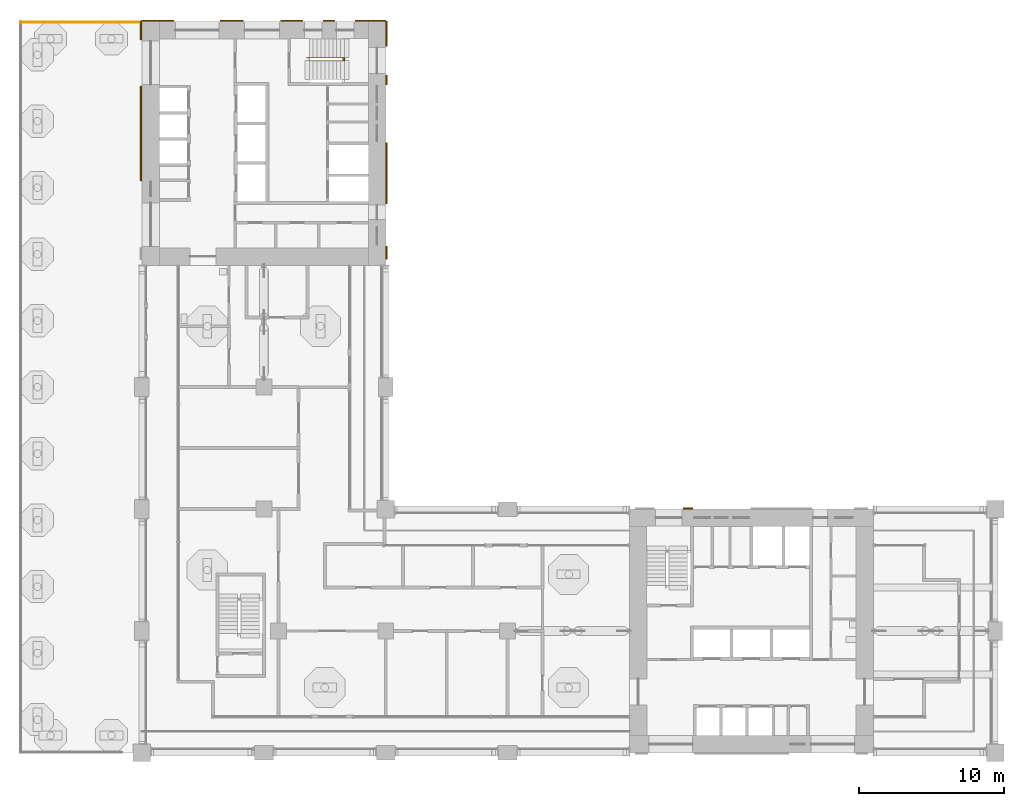
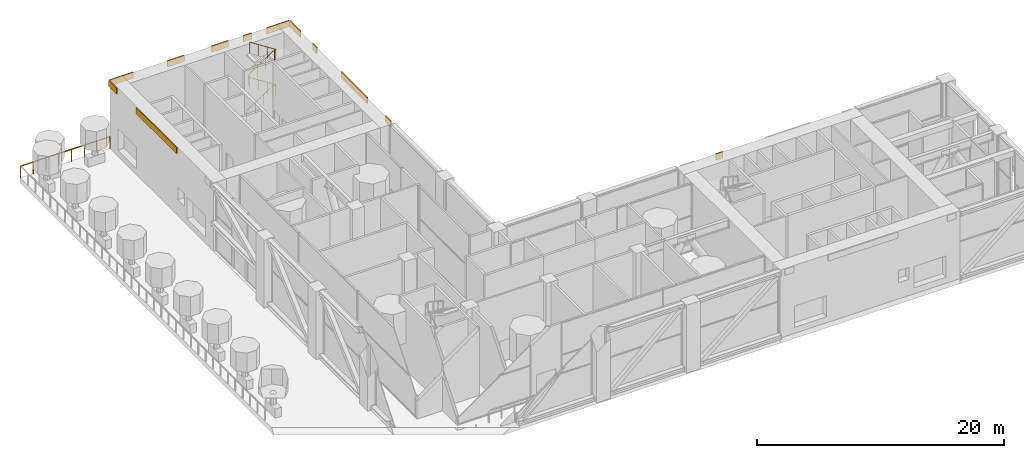
# One storey, part 19 of 22: 12 shading devices, 2 railings.
"""IFC4 building model written with IfcOpenShell, lengths in metres."""

from ifc_helpers import new_model, si_unit, direction, frame, origin, origin_2d, place, context, subcontext, project, spatial, rectangle, circle, extrude, material, layer, layer_set, type_object, element, save


model = new_model("IFC4")

# Units and contexts
model_context = context("Model", 3, precision=1e-05, world=origin(), true_north=direction((0.0, 1.0)))
body_context = subcontext(model_context, "Body", "Model", "MODEL_VIEW")
ifc_project = project(units=[si_unit("LENGTHUNIT", "METRE"), si_unit("AREAUNIT", "SQUARE_METRE"), si_unit("VOLUMEUNIT", "CUBIC_METRE"), si_unit("PLANEANGLEUNIT", "RADIAN"), si_unit("MASSUNIT", "GRAM", prefix="KILO")], contexts=[model_context])

# Site, building, storey
site_placement = place(None, origin())
site = spatial("IfcSite", under=ifc_project, at=site_placement, CompositionType="ELEMENT")
building_placement = place(site_placement, origin())
building = spatial("IfcBuilding", under=site, at=building_placement, Name="Vermilion Gate Residences", CompositionType="ELEMENT")
storey_placement = place(building_placement, frame((0.0, 0.0, 140.699951171875)))
storey = spatial("IfcBuildingStorey", under=building, at=storey_placement, Name="L36", CompositionType="ELEMENT", Elevation=140.699951171875)

# Railings
ifc_material_1 = material(Name="Stainless steel and toughened glass", Category="steel")
railing_type_1 = type_object("IfcRailingType", Name="LOGGIA GUARD STEEL AND GLASS 1200", PredefinedType="GUARDRAIL", material=ifc_material_1)
railing_1_placement = place(storey_placement, frame((8.3779296875, 58.75, 0.0)))
element("IfcRailing", 1, at=railing_1_placement, inside=storey, type_object=railing_type_1, Name="Loggia guard", PredefinedType="GUARDRAIL", context=body_context, shape_type="SweptSolid", body=[
    extrude(circle(Radius=0.030029296875, at=origin_2d()), frame((0.0, 0.0, 1.169921875), z_axis=(-1.0, 0.0, 0.0), x_axis=(0.0, -1.0, 0.0)), (0.0, 0.0, 1.0), 8.35595703125),
    extrude(circle(Radius=0.02490234375, at=origin_2d()), origin(), (0.0, 0.0, 1.0), 1.139892578125),
    extrude(circle(Radius=0.02490234375, at=origin_2d()), frame((-1.193603515625, 0.0, 0.0)), (0.0, 0.0, 1.0), 1.139892578125),
    extrude(circle(Radius=0.02490234375, at=origin_2d()), frame((-2.387451171875, 0.0, 0.0)), (0.0, 0.0, 1.0), 1.139892578125),
    extrude(circle(Radius=0.02490234375, at=origin_2d()), frame((-3.5810546875, 0.0, 0.0)), (0.0, 0.0, 1.0), 1.139892578125),
    extrude(circle(Radius=0.02490234375, at=origin_2d()), frame((-4.77490234375, 0.0, 0.0)), (0.0, 0.0, 1.0), 1.139892578125),
    extrude(circle(Radius=0.02490234375, at=origin_2d()), frame((-5.968505859375, 0.0, 0.0)), (0.0, 0.0, 1.0), 1.139892578125),
    extrude(circle(Radius=0.02490234375, at=origin_2d()), frame((-7.162353515625, 0.0, 0.0)), (0.0, 0.0, 1.0), 1.139892578125),
    extrude(circle(Radius=0.02490234375, at=origin_2d()), frame((-8.35595703125, 0.0, 0.0)), (0.0, 0.0, 1.0), 1.139892578125),
])
ifc_material_2 = material(Name="Steel S355", Category="steel")
railing_type_2 = type_object("IfcRailingType", Name="STAIR GUARD 1100 STEEL", PredefinedType="GUARDRAIL", material=ifc_material_2)
railing_2_placement = place(storey_placement, frame((19.75, 56.300048828125, 0.175048828125)))
element("IfcRailing", 2, at=railing_2_placement, inside=storey, type_object=railing_type_2, Name="Stair well guard STB1-36", PredefinedType="GUARDRAIL", context=body_context, shape_type="SweptSolid", body=[
    extrude(circle(Radius=0.02392578125, at=origin_2d()), frame((0.0, 0.0, 1.076171875), z_axis=(0.839153699163, 0.0, 0.543894354798), x_axis=(0.0, 1.0, 0.0)), (0.0, 0.0, 1.0), 2.895751953125),
    extrude(circle(Radius=0.02392578125, at=origin_2d()), frame((2.429931640625, 0.0, 2.65087890625), z_axis=(0.561173083408, -0.622765251099, 0.545204743636), x_axis=(0.74288808428, 0.669415636384, 0.0)), (0.0, 0.0, 1.0), 0.321044921875),
    extrude(circle(Radius=0.02392578125, at=origin_2d()), frame((2.610107421875, -0.199951171875, 2.826171875), z_axis=(-0.839178637674, 0.0, 0.543855876194), x_axis=(0.0, -1.0, 0.0)), (0.0, 0.0, 1.0), 2.89599609375),
    extrude(circle(Radius=0.02392578125, at=origin_2d()), frame((0.179931640625, -0.199951171875, 4.40087890625), z_axis=(0.0, 0.752405939678, 0.658699705433), x_axis=(-1.0, 0.0, 0.0)), (0.0, 0.0, 1.0), 0.265869140625),
    extrude(circle(Radius=0.02392578125, at=origin_2d()), frame((0.179931640625, 0.0, 4.576171875), z_axis=(0.839178637674, 0.0, 0.543855876194), x_axis=(0.0, 1.0, 0.0)), (0.0, 0.0, 1.0), 2.89599609375),
    extrude(circle(Radius=0.02392578125, at=origin_2d()), frame((2.610107421875, 0.0, 6.15087890625), z_axis=(0.0, -0.752405939678, 0.658699705433), x_axis=(1.0, 0.0, 0.0)), (0.0, 0.0, 1.0), 0.265869140625),
    extrude(circle(Radius=0.02392578125, at=origin_2d()), frame((2.610107421875, -0.199951171875, 6.326171875), z_axis=(-0.839178637674, 0.0, 0.543855876194), x_axis=(0.0, -1.0, 0.0)), (0.0, 0.0, 1.0), 2.89599609375),
    extrude(circle(Radius=0.02099609375, at=origin_2d()), origin(), (0.0, 0.0, 1.0), 1.052001953125),
    extrude(circle(Radius=0.02099609375, at=origin_2d()), frame((0.81005859375, 0.0, 0.52490234375)), (0.0, 0.0, 1.0), 1.052001953125),
    extrude(circle(Radius=0.02099609375, at=origin_2d()), frame((1.619873046875, 0.0, 1.050048828125)), (0.0, 0.0, 1.0), 1.052001953125),
    extrude(circle(Radius=0.02099609375, at=origin_2d()), frame((2.429931640625, 0.0, 1.574951171875)), (0.0, 0.0, 1.0), 1.052001953125),
    extrude(circle(Radius=0.02099609375, at=origin_2d()), frame((2.610107421875, -0.199951171875, 1.75)), (0.0, 0.0, 1.0), 1.052001953125),
    extrude(circle(Radius=0.02099609375, at=origin_2d()), frame((1.800048828125, -0.199951171875, 2.27490234375)), (0.0, 0.0, 1.0), 1.052001953125),
    extrude(circle(Radius=0.02099609375, at=origin_2d()), frame((0.989990234375, -0.199951171875, 2.800048828125)), (0.0, 0.0, 1.0), 1.052001953125),
    extrude(circle(Radius=0.02099609375, at=origin_2d()), frame((0.179931640625, -0.199951171875, 3.324951171875)), (0.0, 0.0, 1.0), 1.052001953125),
    extrude(circle(Radius=0.02099609375, at=origin_2d()), frame((0.179931640625, 0.0, 3.5)), (0.0, 0.0, 1.0), 1.052001953125),
    extrude(circle(Radius=0.02099609375, at=origin_2d()), frame((0.989990234375, 0.0, 4.02490234375)), (0.0, 0.0, 1.0), 1.052001953125),
    extrude(circle(Radius=0.02099609375, at=origin_2d()), frame((1.800048828125, 0.0, 4.550048828125)), (0.0, 0.0, 1.0), 1.052001953125),
    extrude(circle(Radius=0.02099609375, at=origin_2d()), frame((2.610107421875, 0.0, 5.074951171875)), (0.0, 0.0, 1.0), 1.052001953125),
    extrude(circle(Radius=0.02099609375, at=origin_2d()), frame((2.610107421875, -0.199951171875, 5.25)), (0.0, 0.0, 1.0), 1.052001953125),
    extrude(circle(Radius=0.02099609375, at=origin_2d()), frame((1.800048828125, -0.199951171875, 5.77490234375)), (0.0, 0.0, 1.0), 1.052001953125),
    extrude(circle(Radius=0.02099609375, at=origin_2d()), frame((0.989990234375, -0.199951171875, 6.300048828125)), (0.0, 0.0, 1.0), 1.052001953125),
    extrude(circle(Radius=0.02099609375, at=origin_2d()), frame((0.179931640625, -0.199951171875, 6.824951171875)), (0.0, 0.0, 1.0), 1.052001953125),
])

# Shading devices
ifc_material_3 = material(Name="Extruded terracotta", Category="masonry")
ifc_layer = layer(ifc_material_3, 0.10009765625)
ifc_layer_set = layer_set([ifc_layer], Name="TERRACOTTA SPANDREL BAND 600 X 100")
shading_device_type = type_object("IfcShadingDeviceType", Name="TERRACOTTA SPANDREL BAND 600 X 100", PredefinedType="USERDEFINED", material=ifc_layer_set)
shading_device_1_placement = place(storey_placement, frame((46.031005859375, 25.25, 6.1201171875), z_axis=(0.0, 0.0, 1.0), x_axis=(1.0, 0.0, 0.0)))
element("IfcShadingDevice", 3, at=shading_device_1_placement, inside=storey, type_object=shading_device_type, Name="SPANDREL BAND", ObjectType="BAND", PredefinedType="USERDEFINED", context=body_context, shape_type="SweptSolid", body=[
    extrude(rectangle(XDim=0.662109375, YDim=0.10009765625, at=origin_2d()), origin(), (0.0, 0.0, 1.0), 0.60009765625),
])
shading_device_2_placement = place(storey_placement, frame((9.50244140625, 58.85009765625, 6.1201171875), z_axis=(0.0, 0.0, 1.0), x_axis=(1.0, 0.0, 0.0)))
element("IfcShadingDevice", 4, at=shading_device_2_placement, inside=storey, type_object=shading_device_type, Name="SPANDREL BAND", ObjectType="BAND", PredefinedType="USERDEFINED", context=body_context, shape_type="SweptSolid", body=[
    extrude(rectangle(XDim=2.205078125, YDim=0.10009765625, at=origin_2d()), origin(), (0.0, 0.0, 1.0), 0.60009765625),
])
shading_device_3_placement = place(storey_placement, frame((14.590087890625, 58.85009765625, 6.1201171875), z_axis=(0.0, 0.0, 1.0), x_axis=(1.0, 0.0, 0.0)))
element("IfcShadingDevice", 5, at=shading_device_3_placement, inside=storey, type_object=shading_device_type, Name="SPANDREL BAND", ObjectType="BAND", PredefinedType="USERDEFINED", context=body_context, shape_type="SweptSolid", body=[
    extrude(rectangle(XDim=1.570068359375, YDim=0.10009765625, at=origin_2d()), origin(), (0.0, 0.0, 1.0), 0.60009765625),
])
shading_device_4_placement = place(storey_placement, frame((18.734130859375, 58.85009765625, 6.1201171875), z_axis=(0.0, 0.0, 1.0), x_axis=(1.0, 0.0, 0.0)))
element("IfcShadingDevice", 6, at=shading_device_4_placement, inside=storey, type_object=shading_device_type, Name="SPANDREL BAND", ObjectType="BAND", PredefinedType="USERDEFINED", context=body_context, shape_type="SweptSolid", body=[
    extrude(rectangle(XDim=1.518310546875, YDim=0.10009765625, at=origin_2d()), origin(), (0.0, 0.0, 1.0), 0.60009765625),
])
shading_device_5_placement = place(storey_placement, frame((21.294921875, 58.85009765625, 6.1201171875), z_axis=(0.0, 0.0, 1.0), x_axis=(1.0, 0.0, 0.0)))
element("IfcShadingDevice", 7, at=shading_device_5_placement, inside=storey, type_object=shading_device_type, Name="SPANDREL BAND", ObjectType="BAND", PredefinedType="USERDEFINED", context=body_context, shape_type="SweptSolid", body=[
    extrude(rectangle(XDim=0.803466796875, YDim=0.10009765625, at=origin_2d()), origin(), (0.0, 0.0, 1.0), 0.60009765625),
])
shading_device_6_placement = place(storey_placement, frame((24.1484375, 58.85009765625, 6.1201171875), z_axis=(0.0, 0.0, 1.0), x_axis=(1.0, 0.0, 0.0)))
element("IfcShadingDevice", 8, at=shading_device_6_placement, inside=storey, type_object=shading_device_type, Name="SPANDREL BAND", ObjectType="BAND", PredefinedType="USERDEFINED", context=body_context, shape_type="SweptSolid", body=[
    extrude(rectangle(XDim=2.103271484375, YDim=0.10009765625, at=origin_2d()), origin(), (0.0, 0.0, 1.0), 0.60009765625),
])
shading_device_7_placement = place(storey_placement, frame((8.35009765625, 51.094482421875, 6.1201171875), z_axis=(0.0, 0.0, 1.0), x_axis=(0.0, 1.0, 0.0)))
element("IfcShadingDevice", 9, at=shading_device_7_placement, inside=storey, type_object=shading_device_type, Name="SPANDREL BAND", ObjectType="BAND", PredefinedType="USERDEFINED", context=body_context, shape_type="SweptSolid", body=[
    extrude(rectangle(XDim=6.510986328125, YDim=0.10009765625, at=origin_2d()), origin(), (0.0, 0.0, 1.0), 0.60009765625),
])
shading_device_8_placement = place(storey_placement, frame((8.35009765625, 58.175048828125, 6.1201171875), z_axis=(0.0, 0.0, 1.0), x_axis=(0.0, 1.0, 0.0)))
element("IfcShadingDevice", 10, at=shading_device_8_placement, inside=storey, type_object=shading_device_type, Name="SPANDREL BAND", ObjectType="BAND", PredefinedType="USERDEFINED", context=body_context, shape_type="SweptSolid", body=[
    extrude(rectangle(XDim=1.25, YDim=0.10009765625, at=origin_2d()), origin(), (0.0, 0.0, 1.0), 0.60009765625),
])
shading_device_9_placement = place(storey_placement, frame((25.25, 42.862548828125, 6.1201171875), z_axis=(0.0, 0.0, 1.0), x_axis=(0.0, 1.0, 0.0)))
element("IfcShadingDevice", 11, at=shading_device_9_placement, inside=storey, type_object=shading_device_type, Name="SPANDREL BAND", ObjectType="BAND", PredefinedType="USERDEFINED", context=body_context, shape_type="SweptSolid", body=[
    extrude(rectangle(XDim=0.925048828125, YDim=0.10009765625, at=origin_2d()), origin(), (0.0, 0.0, 1.0), 0.60009765625),
])
shading_device_10_placement = place(storey_placement, frame((25.25, 48.35009765625, 6.1201171875), z_axis=(0.0, 0.0, 1.0), x_axis=(0.0, 1.0, 0.0)))
element("IfcShadingDevice", 12, at=shading_device_10_placement, inside=storey, type_object=shading_device_type, Name="SPANDREL BAND", ObjectType="BAND", PredefinedType="USERDEFINED", context=body_context, shape_type="SweptSolid", body=[
    extrude(rectangle(XDim=4.199951171875, YDim=0.10009765625, at=origin_2d()), origin(), (0.0, 0.0, 1.0), 0.60009765625),
])
shading_device_11_placement = place(storey_placement, frame((25.25, 54.76904296875, 6.1201171875), z_axis=(0.0, 0.0, 1.0), x_axis=(0.0, 1.0, 0.0)))
element("IfcShadingDevice", 13, at=shading_device_11_placement, inside=storey, type_object=shading_device_type, Name="SPANDREL BAND", ObjectType="BAND", PredefinedType="USERDEFINED", context=body_context, shape_type="SweptSolid", body=[
    extrude(rectangle(XDim=0.662109375, YDim=0.10009765625, at=origin_2d()), origin(), (0.0, 0.0, 1.0), 0.60009765625),
])
shading_device_12_placement = place(storey_placement, frame((25.25, 57.949951171875, 6.1201171875), z_axis=(0.0, 0.0, 1.0), x_axis=(0.0, 1.0, 0.0)))
element("IfcShadingDevice", 14, at=shading_device_12_placement, inside=storey, type_object=shading_device_type, Name="SPANDREL BAND", ObjectType="BAND", PredefinedType="USERDEFINED", context=body_context, shape_type="SweptSolid", body=[
    extrude(rectangle(XDim=1.699951171875, YDim=0.10009765625, at=origin_2d()), origin(), (0.0, 0.0, 1.0), 0.60009765625),
])

save(model, "model.ifc")
